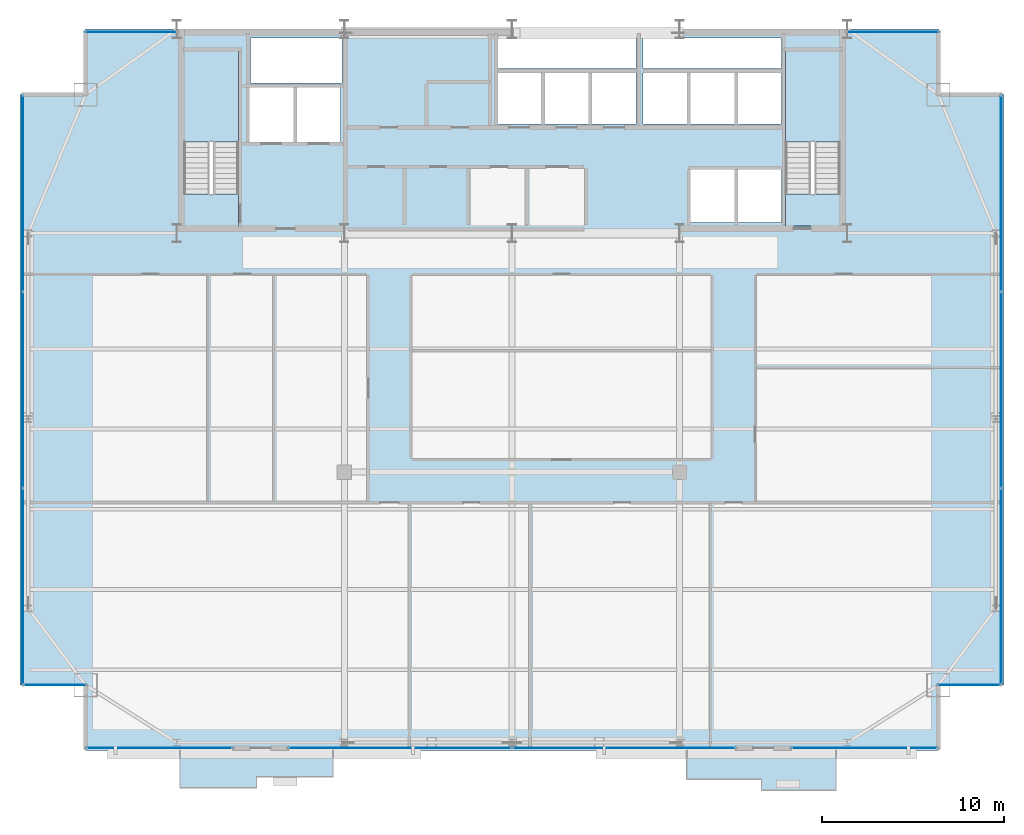
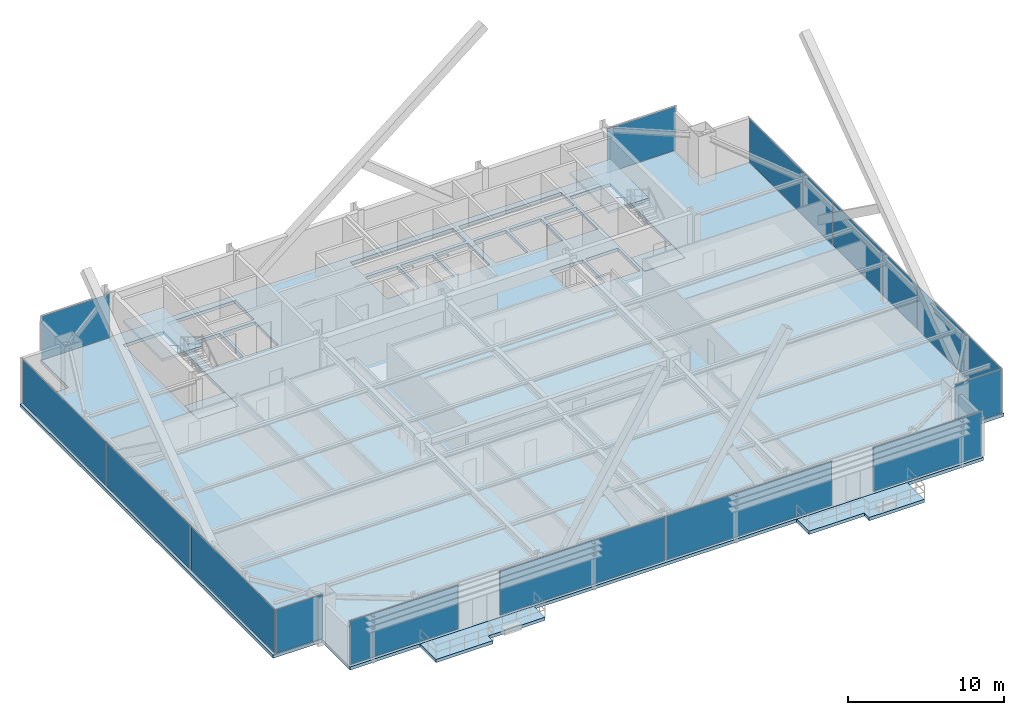
# One storey, part 27 of 34: 14 plates, 7 slabs, 11 elements without a shape of their own.
"""IFC4 building model written with IfcOpenShell, lengths in metres."""

import ifcopenshell
import ifcopenshell.guid

model = None  # the IFC model being written
_history = None  # IfcOwnerHistory: only IFC2X3 demands one
_inside = {}  # id of a spatial element -> (the spatial element, [elements in it])
_under = {}  # id of a project, library or spatial element -> (it, [spatial elements below it])
_declared = {}  # id of a project -> (the project, [libraries it declares])
_typed = {}  # id of a type object -> (the type object, [elements of that type])
_made_of = {}  # id of a material, layer set ... -> (it, [elements and type objects made of it])


def new_model(schema):
    """Start an empty IFC model of exactly this schema.

    Asked for "IFC4X3", IfcOpenShell would pick the latest addendum, in which some entities
    have other attributes; the version numbers below select the first issue.
    IFC2X3 requires an IfcOwnerHistory on every rooted entity: one is made here for all.
    """
    global model, _history
    if schema == "IFC4X3":
        model = ifcopenshell.file(schema_version=(4, 3, 0, 0))
    else:
        model = ifcopenshell.file(schema=schema)
    _inside.clear()
    _under.clear()
    _declared.clear()
    _typed.clear()
    _made_of.clear()
    _history = None
    if model.schema == "IFC2X3":
        org = make("IfcOrganization", Name="unknown")
        user = make(
            "IfcPersonAndOrganization",
            ThePerson=make("IfcPerson", FamilyName="unknown"),
            TheOrganization=org,
        )
        app = make(
            "IfcApplication",
            ApplicationDeveloper=org,
            Version="unknown",
            ApplicationFullName="unknown",
            ApplicationIdentifier="unknown",
        )
        _history = make(
            "IfcOwnerHistory",
            OwningUser=user,
            OwningApplication=app,
            ChangeAction="ADDED",
            CreationDate=0,
        )
    return model


def make(cls, **values):
    """One entity of the class cls with the attributes given. An attribute that is None is left unset."""
    return model.create_entity(
        cls, **{name: value for name, value in values.items() if value is not None}
    )


def rooted(cls, **values):
    """An entity with a GlobalId (a new one), such as an element, a storey or a relation."""
    return make(cls, GlobalId=ifcopenshell.guid.new(), OwnerHistory=_history, **values)


def si_unit(unit_type, name, prefix=None):
    """IfcSIUnit, for example si_unit("LENGTHUNIT", "METRE", prefix="MILLI")."""
    return make("IfcSIUnit", UnitType=unit_type, Prefix=prefix, Name=name)


def assignment(units):
    """IfcUnitAssignment: the units of a project."""
    return None if units is None else make("IfcUnitAssignment", Units=units)


def point(xyz):
    """IfcCartesianPoint."""
    return None if xyz is None else make("IfcCartesianPoint", Coordinates=xyz)


def direction(xyz):
    """IfcDirection."""
    return None if xyz is None else make("IfcDirection", DirectionRatios=xyz)


def frame(location, z_axis=None, x_axis=None):
    """IfcAxis2Placement3D, a coordinate frame: its origin and axes. An axis left out is left unset."""
    return make(
        "IfcAxis2Placement3D",
        Location=point(location),
        Axis=direction(z_axis),
        RefDirection=direction(x_axis),
    )


def frame_2d(location, x_axis=None):
    """IfcAxis2Placement2D, a coordinate frame in the plane: its origin and x axis."""
    return make(
        "IfcAxis2Placement2D", Location=point(location), RefDirection=direction(x_axis)
    )


def origin():
    """The frame at (0, 0, 0) with its axes left unset."""
    return frame((0.0, 0.0, 0.0))


def origin_2d():
    """The frame at (0, 0) in the plane with its x axis left unset."""
    return frame_2d((0.0, 0.0))


def place(relative_to, where):
    """IfcLocalPlacement: puts the frame where relative to a parent placement (None: the world)."""
    return make(
        "IfcLocalPlacement", PlacementRelTo=relative_to, RelativePlacement=where
    )


def context(
    kind, dimensions, precision=None, world=None, true_north=None, identifier=None
):
    """IfcGeometricRepresentationContext, for example the 3D "Model" context."""
    return make(
        "IfcGeometricRepresentationContext",
        ContextIdentifier=identifier,
        ContextType=kind,
        CoordinateSpaceDimension=dimensions,
        Precision=precision,
        WorldCoordinateSystem=world,
        TrueNorth=true_north,
    )


def subcontext(parent, identifier, kind, view, scale=None):
    """IfcGeometricRepresentationSubContext, for example "Body" below "Model"."""
    return make(
        "IfcGeometricRepresentationSubContext",
        ContextIdentifier=identifier,
        ContextType=kind,
        ParentContext=parent,
        TargetScale=scale,
        TargetView=view,
    )


def project(units=None, contexts=None):
    """IfcProject with its units and contexts."""
    return rooted(
        "IfcProject",
        Name="project",
        RepresentationContexts=contexts,
        UnitsInContext=assignment(units),
    )


def spatial(cls, under=None, at=None, **own):
    """A site, building, storey or space (cls), placed at a placement, below another one or the project."""
    s = rooted(cls, ObjectPlacement=at, **own)
    if under is not None:
        _under.setdefault(under.id(), (under, []))[1].append(s)
    return s


def polyline(points):
    """IfcPolyline through the points."""
    return make("IfcPolyline", Points=[point(p) for p in points])


def profile(cls, at=None, kind="AREA", **sizes):
    """A parametric profile (cls). Its sizes go by their IFC names, for example OverallWidth=200.0."""
    return make(cls, ProfileType=kind, Position=at, **sizes)


def rectangle(**sizes):
    """IfcRectangleProfileDef."""
    return profile("IfcRectangleProfileDef", **sizes)


def outline(outer, holes=None, kind="AREA"):
    """IfcArbitraryClosedProfileDef: a profile drawn as a closed curve; with holes, ...WithVoids."""
    if holes is None:
        return make("IfcArbitraryClosedProfileDef", ProfileType=kind, OuterCurve=outer)
    return make(
        "IfcArbitraryProfileDefWithVoids",
        ProfileType=kind,
        OuterCurve=outer,
        InnerCurves=holes,
    )


def extrude(swept, where, along, depth):
    """IfcExtrudedAreaSolid: the profile swept, set in the frame where, extruded along a direction by depth."""
    return make(
        "IfcExtrudedAreaSolid",
        SweptArea=swept,
        Position=where,
        ExtrudedDirection=direction(along),
        Depth=depth,
    )


def shape(context_of_items, identifier, shape_type, items):
    """IfcShapeRepresentation: the items that make up one representation, for example the "Body"."""
    return make(
        "IfcShapeRepresentation",
        ContextOfItems=context_of_items,
        RepresentationIdentifier=identifier,
        RepresentationType=shape_type,
        Items=items,
    )


def source(mapping_origin, context_of_items, identifier, shape_type, items):
    """IfcRepresentationMap: a shape defined once, which mapped items show again and again."""
    return make(
        "IfcRepresentationMap",
        MappingOrigin=mapping_origin,
        MappedRepresentation=shape(context_of_items, identifier, shape_type, items),
    )


def transform(
    local_origin,
    x_axis=None,
    y_axis=None,
    z_axis=None,
    scale=None,
    scale2=None,
    scale3=None,
    uniform=True,
):
    """IfcCartesianTransformationOperator3D, or its non-uniform kind. x_axis, y_axis, z_axis: its Axis1, 2, 3."""
    if uniform:
        return make(
            "IfcCartesianTransformationOperator3D",
            Axis1=direction(x_axis),
            Axis2=direction(y_axis),
            LocalOrigin=point(local_origin),
            Scale=scale,
            Axis3=direction(z_axis),
        )
    return make(
        "IfcCartesianTransformationOperator3DnonUniform",
        Axis1=direction(x_axis),
        Axis2=direction(y_axis),
        LocalOrigin=point(local_origin),
        Scale=scale,
        Axis3=direction(z_axis),
        Scale2=scale2,
        Scale3=scale3,
    )


def mapped(mapping_source, mapping_target):
    """IfcMappedItem: shows the shape of a source again, moved by a transform."""
    return make(
        "IfcMappedItem", MappingSource=mapping_source, MappingTarget=mapping_target
    )


def material(Name=None, Category=None):
    """IfcMaterial."""
    return make("IfcMaterial", Name=Name, Category=Category)


def layer(
    of_material, thickness, ventilated=None, Name=None, Category=None, Priority=None
):
    """IfcMaterialLayer: one layer of a wall or slab, of a material (None: an air gap)."""
    return make(
        "IfcMaterialLayer",
        Material=of_material,
        LayerThickness=thickness,
        IsVentilated=ventilated,
        Name=Name,
        Category=Category,
        Priority=Priority,
    )


def layer_set(layers, Name=None):
    """IfcMaterialLayerSet."""
    return make("IfcMaterialLayerSet", MaterialLayers=layers, LayerSetName=Name)


def made_of(thing, what):
    """Note that an element or type object is made of a material, layer set ...; save() writes the relation."""
    if what is not None:
        _made_of.setdefault(what.id(), (what, []))[1].append(thing)
    return thing


def type_object(cls, material=None, **own):
    """A type object (cls), such as IfcWallType, which elements share."""
    return made_of(rooted(cls, **own), material)


def type_shapes(of_type, sources):
    """Give a type object the sources (RepresentationMaps) that its elements show as mapped items."""
    of_type.RepresentationMaps = sources


def element(
    cls,
    number,
    at=None,
    inside=None,
    cuts=None,
    type_object=None,
    material=None,
    context=None,
    identifier="Body",
    shape_type=None,
    held_by="IfcProductDefinitionShape",
    body=None,
    shapes=None,
    **own,
):
    """One element of the class cls, such as IfcWall. Its Tag is "e" and its number.

    at: its placement. inside: the storey or other place that contains it. cuts: it is an
    opening in that element (IfcRelVoidsElement). A single representation is given by context,
    identifier, shape_type and body (its items); several are given by shapes. held_by: the class
    of the entity that holds the representations. save() writes the other relations.
    """
    e = rooted(cls, Tag="e%d" % number, ObjectPlacement=at, **own)
    if body is not None:
        shapes = [shape(context, identifier, shape_type, body)]
    if shapes is not None:
        e.Representation = make(held_by, Representations=shapes)
    if inside is not None:
        _inside.setdefault(inside.id(), (inside, []))[1].append(e)
    if cuts is not None:
        rooted(
            "IfcRelVoidsElement", RelatingBuildingElement=cuts, RelatedOpeningElement=e
        )
    if type_object is not None:
        _typed.setdefault(type_object.id(), (type_object, []))[1].append(e)
    return made_of(e, material)


def aggregate(whole, parts):
    """IfcRelAggregates: a whole, such as a stair, and the parts it consists of."""
    return rooted("IfcRelAggregates", RelatingObject=whole, RelatedObjects=parts)


def save(model, path):
    """Write the relations noted so far, then the file.

    IfcRelAggregates (storeys below a building ...), IfcRelContainedInSpatialStructure (elements
    in a storey), IfcRelDefinesByType, IfcRelAssociatesMaterial and IfcRelDeclares: one each for
    every whole, place, type object, material and project.
    """
    for whole, parts in _under.values():
        aggregate(whole, parts)
    for where, things in _inside.values():
        rooted(
            "IfcRelContainedInSpatialStructure",
            RelatedElements=things,
            RelatingStructure=where,
        )
    for kind, things in _typed.values():
        rooted("IfcRelDefinesByType", RelatedObjects=things, RelatingType=kind)
    for what, things in _made_of.values():
        rooted("IfcRelAssociatesMaterial", RelatedObjects=things, RelatingMaterial=what)
    for by, libraries in _declared.values():
        rooted("IfcRelDeclares", RelatingContext=by, RelatedDefinitions=libraries)
    model.write(path)


model = new_model("IFC4")

# Units and contexts
model_context = context("Model", 3, precision=1e-05, world=origin(), true_north=direction((0.0, 1.0)))
body_context = subcontext(model_context, "Body", "Model", "MODEL_VIEW")
ifc_project = project(units=[si_unit("LENGTHUNIT", "METRE"), si_unit("AREAUNIT", "SQUARE_METRE"), si_unit("VOLUMEUNIT", "CUBIC_METRE"), si_unit("PLANEANGLEUNIT", "RADIAN"), si_unit("MASSUNIT", "GRAM", prefix="KILO")], contexts=[model_context])

# Site, building, storey
site_placement = place(None, origin())
site = spatial("IfcSite", under=ifc_project, at=site_placement, CompositionType="ELEMENT")
building_placement = place(site_placement, origin())
building = spatial("IfcBuilding", under=site, at=building_placement, Name="Varnel Quay Broadcast Tower", CompositionType="ELEMENT")
storey_placement = place(building_placement, frame((0.0, 0.0, 176.199951171875)))
storey = spatial("IfcBuildingStorey", under=building, at=storey_placement, Name="L43", CompositionType="ELEMENT", Elevation=176.199951171875)

# Slabs
ifc_material_1 = material(Name="Concrete CSA A23.3 C40/50", Category="concrete")
ifc_layer_1 = layer(ifc_material_1, 0.25, Name="Concrete CSA A23.3 C40/50")
ifc_layer_set_1 = layer_set([ifc_layer_1], Name="Concrete CSA A23.3 C40/50")
slab_type_1 = type_object("IfcSlabType", Name="Slab_ExtTerrace250", PredefinedType="FLOOR", material=ifc_layer_set_1)
slab_1_placement = place(storey_placement, frame((0.0, 0.0, -0.25)))
element("IfcSlab", 1, at=slab_1_placement, inside=storey, type_object=slab_type_1, Name="L43 Planted Lobe Terrace Slab 1", PredefinedType="FLOOR", context=body_context, shape_type="SweptSolid", body=[
    extrude(outline(polyline([(15.780029296875, 5.173095703125), (19.97998046875, 5.173095703125), (19.97998046875, 5.77294921875), (24.179931640625, 5.77294921875), (24.179931640625, 7.199951171875), (15.780029296875, 7.199951171875), (15.780029296875, 5.173095703125)])), origin(), (0.0, 0.0, 1.0), 0.25),
])
slab_2_placement = place(storey_placement, frame((0.0, 0.0, -0.25)))
element("IfcSlab", 2, at=slab_2_placement, inside=storey, type_object=slab_type_1, Name="L43 Planted Lobe Terrace Slab 2", PredefinedType="FLOOR", context=body_context, shape_type="SweptSolid", body=[
    extrude(outline(polyline([(43.60009765625, 5.626953125), (47.68994140625, 5.626953125), (47.68994140625, 5.027099609375), (51.780029296875, 5.027099609375), (51.780029296875, 7.199951171875), (43.60009765625, 7.199951171875), (43.60009765625, 5.626953125)])), origin(), (0.0, 0.0, 1.0), 0.25),
])
ifc_material_2 = material(Name="Concrete CSA A23.3 C50/60", Category="concrete")
ifc_layer_2 = layer(ifc_material_2, 0.25, Name="Concrete CSA A23.3 C50/60")
ifc_layer_set_2 = layer_set([ifc_layer_2], Name="Concrete CSA A23.3 C50/60")
slab_type_2 = type_object("IfcSlabType", Name="Slab_Floor250", PredefinedType="FLOOR", material=ifc_layer_set_2)
slab_3_placement = place(storey_placement, frame((0.0, 0.0, -0.25)))
element("IfcSlab", 3, at=slab_3_placement, inside=storey, type_object=slab_type_2, Name="L43 Structural Slab", PredefinedType="FLOOR", context=body_context, shape_type="SweptSolid", body=[
    extrude(outline(polyline([(10.60009765625, 7.199951171875), (57.39990234375, 7.199951171875), (57.39990234375, 10.800048828125), (61.0, 10.800048828125), (61.0, 43.199951171875), (57.39990234375, 43.199951171875), (57.39990234375, 46.800048828125), (10.60009765625, 46.800048828125), (10.60009765625, 43.199951171875), (7.0, 43.199951171875), (7.0, 10.800048828125), (10.60009765625, 10.800048828125), (10.60009765625, 7.199951171875)]), holes=[polyline([(19.0, 36.0), (16.0, 36.0), (16.0, 45.60009765625), (19.0, 45.60009765625), (19.0, 36.0)]), polyline([(19.60009765625, 43.60009765625), (22.0, 43.60009765625), (22.0, 40.60009765625), (19.60009765625, 40.60009765625), (19.60009765625, 43.60009765625)]), polyline([(22.199951171875, 43.60009765625), (24.60009765625, 43.60009765625), (24.60009765625, 40.60009765625), (22.199951171875, 40.60009765625), (22.199951171875, 43.60009765625)]), polyline([(33.199951171875, 44.39990234375), (35.60009765625, 44.39990234375), (35.60009765625, 41.60009765625), (33.199951171875, 41.60009765625), (33.199951171875, 44.39990234375)]), polyline([(35.800048828125, 44.39990234375), (38.199951171875, 44.39990234375), (38.199951171875, 41.60009765625), (35.800048828125, 41.60009765625), (35.800048828125, 44.39990234375)]), polyline([(38.39990234375, 44.39990234375), (40.800048828125, 44.39990234375), (40.800048828125, 41.60009765625), (38.39990234375, 41.60009765625), (38.39990234375, 44.39990234375)]), polyline([(19.64990234375, 46.300048828125), (24.679931640625, 46.300048828125), (24.679931640625, 43.85009765625), (19.64990234375, 43.85009765625), (19.64990234375, 46.300048828125)]), polyline([(33.199951171875, 46.300048828125), (40.800048828125, 46.300048828125), (40.800048828125, 44.64990234375), (33.199951171875, 44.64990234375), (33.199951171875, 46.300048828125)]), polyline([(43.800048828125, 39.10009765625), (46.199951171875, 39.10009765625), (46.199951171875, 36.199951171875), (43.800048828125, 36.199951171875), (43.800048828125, 39.10009765625)]), polyline([(46.39990234375, 39.10009765625), (48.800048828125, 39.10009765625), (48.800048828125, 36.199951171875), (46.39990234375, 36.199951171875), (46.39990234375, 39.10009765625)]), polyline([(49.0, 36.0), (49.0, 45.60009765625), (52.0, 45.60009765625), (52.0, 36.0), (49.0, 36.0)]), polyline([(41.199951171875, 44.39990234375), (43.60009765625, 44.39990234375), (43.60009765625, 41.60009765625), (41.199951171875, 41.60009765625), (41.199951171875, 44.39990234375)]), polyline([(43.800048828125, 44.39990234375), (46.199951171875, 44.39990234375), (46.199951171875, 41.60009765625), (43.800048828125, 41.60009765625), (43.800048828125, 44.39990234375)]), polyline([(46.39990234375, 44.39990234375), (48.800048828125, 44.39990234375), (48.800048828125, 41.60009765625), (46.39990234375, 41.60009765625), (46.39990234375, 44.39990234375)]), polyline([(41.199951171875, 46.300048828125), (48.800048828125, 46.300048828125), (48.800048828125, 44.64990234375), (41.199951171875, 44.64990234375), (41.199951171875, 46.300048828125)])]), origin(), (0.0, 0.0, 1.0), 0.25),
])
ifc_layer_3 = layer(ifc_material_2, 0.25, Name="Concrete CSA A23.3 C50/60")
ifc_layer_set_3 = layer_set([ifc_layer_3], Name="Concrete CSA A23.3 C50/60")
slab_type_3 = type_object("IfcSlabType", Name="Slab_StairFloorLanding250", PredefinedType="FLOOR", material=ifc_layer_set_3)
slab_4_placement = place(storey_placement, frame((0.0, 0.0, -0.25)))
element("IfcSlab", 4, at=slab_4_placement, inside=storey, type_object=slab_type_3, Name="L43 ST-01 Structural Floor Landing Slab", PredefinedType="FLOOR", context=body_context, shape_type="SweptSolid", body=[
    extrude(outline(polyline([(19.0, 36.0), (19.0, 37.75), (16.0, 37.75), (16.0, 36.0), (19.0, 36.0)])), origin(), (0.0, 0.0, 1.0), 0.25),
])
slab_5_placement = place(storey_placement, frame((0.0, 0.0, -0.25)))
element("IfcSlab", 5, at=slab_5_placement, inside=storey, type_object=slab_type_3, Name="L43 ST-02 Structural Floor Landing Slab", PredefinedType="FLOOR", context=body_context, shape_type="SweptSolid", body=[
    extrude(outline(polyline([(52.0, 36.0), (52.0, 37.75), (49.0, 37.75), (49.0, 36.0), (52.0, 36.0)])), origin(), (0.0, 0.0, 1.0), 0.25),
])

# Stair, slab
ifc_material_3 = material(Name="Precast Structural Concrete C40/50", Category="concrete")
stair_type_1 = type_object("IfcStairType", Name="Stair_ST-01", PredefinedType="HALF_TURN_STAIR", material=ifc_material_3)
stair_1_placement = place(storey_placement, origin())
stair_1 = element("IfcStair", 6, at=stair_1_placement, inside=storey, type_object=stair_type_1, Name="L43 West Core Exit Stair 1", PredefinedType="HALF_TURN_STAIR")
ifc_layer_4 = layer(ifc_material_3, 0.199951171875, Name="Precast Structural Concrete C40/50")
ifc_layer_set_4 = layer_set([ifc_layer_4], Name="Precast Structural Concrete C40/50")
slab_type_4 = type_object("IfcSlabType", Name="Slab_StairLanding200", PredefinedType="LANDING", material=ifc_layer_set_4)
slab_6_placement = place(storey_placement, frame((0.0, 0.0, 1.699951171875)))
slab_6 = element("IfcSlab", 7, at=slab_6_placement, type_object=slab_type_4, Name="ST-01 landing 1", PredefinedType="LANDING", context=body_context, shape_type="SweptSolid", body=[
    extrude(outline(polyline([(19.0, 40.60009765625), (19.0, 45.60009765625), (16.0, 45.60009765625), (16.0, 40.60009765625), (19.0, 40.60009765625)])), origin(), (0.0, 0.0, 1.0), 0.2001953125),
])
aggregate(stair_1, [slab_6])

stair_type_2 = type_object("IfcStairType", Name="Stair_ST-02", PredefinedType="HALF_TURN_STAIR", material=ifc_material_3)
stair_2_placement = place(storey_placement, origin())
stair_2 = element("IfcStair", 8, at=stair_2_placement, inside=storey, type_object=stair_type_2, Name="L43 East Core Exit Stair 2", PredefinedType="HALF_TURN_STAIR")
slab_7_placement = place(storey_placement, frame((0.0, 0.0, 1.699951171875)))
slab_7 = element("IfcSlab", 9, at=slab_7_placement, type_object=slab_type_4, Name="ST-02 landing 1", PredefinedType="LANDING", context=body_context, shape_type="SweptSolid", body=[
    extrude(outline(polyline([(52.0, 40.60009765625), (52.0, 45.60009765625), (49.0, 45.60009765625), (49.0, 40.60009765625), (52.0, 40.60009765625)])), origin(), (0.0, 0.0, 1.0), 0.2001953125),
])
aggregate(stair_2, [slab_7])

# Curtain wall, plate
ifc_material_4 = material(Name="Anodised Bronze Aluminium 6063-T6", Category="aluminium")
ifc_layer_5 = layer(ifc_material_4, 0.18994140625, Name="Anodised Bronze Aluminium 6063-T6")
ifc_layer_set_5 = layer_set([ifc_layer_5], Name="Anodised Bronze Aluminium 6063-T6")
curtain_wall_type_1 = type_object("IfcCurtainWallType", Name="CW_NotchCorner", PredefinedType="NOTDEFINED", material=ifc_layer_set_5)
curtain_wall_1_placement = place(storey_placement, origin())
curtain_wall_1 = element("IfcCurtainWall", 10, at=curtain_wall_1_placement, inside=storey, type_object=curtain_wall_type_1, Name="L43 SW Notch Curtain Wall", PredefinedType="NOTDEFINED")
ifc_material_5 = material(Name="Triple-Glazed Bronze Low-E Architectural Glass", Category="glass")
ifc_layer_6 = layer(ifc_material_5, 0.028076171875, Name="Triple-Glazed Bronze Low-E Architectural Glass")
ifc_layer_set_6 = layer_set([ifc_layer_6], Name="Triple-Glazed Bronze Low-E Architectural Glass")
plate_type_1 = type_object("IfcPlateType", Name="Panel_CWS-04", PredefinedType="CURTAIN_PANEL", material=ifc_layer_set_6)
shared_shape_1 = source(origin(), body_context, "Body", "SweptSolid", [
    extrude(rectangle(XDim=3.409912109375, YDim=0.028076171875, at=origin_2d()), origin(), (0.0, 0.0, 1.0), 3.43994140625),
])
type_shapes(plate_type_1, [shared_shape_1])
plate_1_placement = place(storey_placement, frame((8.9150390625, 10.800048828125, 0.05517578125), z_axis=(0.0, 0.0, 1.0), x_axis=(1.0, 0.0, 0.0)))
plate_1 = element("IfcPlate", 11, at=plate_1_placement, type_object=plate_type_1, Name="CWS-04 panel 1.1", PredefinedType="CURTAIN_PANEL", context=body_context, shape_type="MappedRepresentation", body=[
    mapped(shared_shape_1, transform((0.0, 0.0, 0.0), x_axis=(1.0, 0.0, 0.0), y_axis=(0.0, 1.0, 0.0), z_axis=(0.0, 0.0, 1.0), scale=1.0)),
])
aggregate(curtain_wall_1, [plate_1])

curtain_wall_2_placement = place(storey_placement, origin())
curtain_wall_2 = element("IfcCurtainWall", 12, at=curtain_wall_2_placement, inside=storey, type_object=curtain_wall_type_1, Name="L43 SE Notch Curtain Wall", PredefinedType="NOTDEFINED")
plate_2_placement = place(storey_placement, frame((59.0849609375, 10.800048828125, 0.05517578125), z_axis=(0.0, 0.0, 1.0), x_axis=(1.0, 0.0, 0.0)))
plate_2 = element("IfcPlate", 13, at=plate_2_placement, type_object=plate_type_1, Name="CWS-04 panel 1.1", PredefinedType="CURTAIN_PANEL", context=body_context, shape_type="MappedRepresentation", body=[
    mapped(shared_shape_1, transform((0.0, 0.0, 0.0), x_axis=(1.0, 0.0, 0.0), y_axis=(0.0, 1.0, 0.0), z_axis=(0.0, 0.0, 1.0), scale=1.0)),
])
aggregate(curtain_wall_2, [plate_2])

# Curtain wall, plates
ifc_layer_7 = layer(ifc_material_4, 0.18994140625, Name="Anodised Bronze Aluminium 6063-T6")
ifc_layer_set_7 = layer_set([ifc_layer_7], Name="Anodised Bronze Aluminium 6063-T6")
curtain_wall_type_2 = type_object("IfcCurtainWallType", Name="CW_UpperTower", PredefinedType="NOTDEFINED", material=ifc_layer_set_7)
curtain_wall_3_placement = place(storey_placement, origin())
curtain_wall_3 = element("IfcCurtainWall", 14, at=curtain_wall_3_placement, inside=storey, type_object=curtain_wall_type_2, Name="L43 West Unitised Curtain Wall", PredefinedType="NOTDEFINED")
ifc_material_6 = material(Name="Insulated Bronze Spandrel Glass", Category="glass")
ifc_layer_8 = layer(ifc_material_6, 0.030029296875, Name="Insulated Bronze Spandrel Glass")
ifc_layer_set_8 = layer_set([ifc_layer_8], Name="Insulated Bronze Spandrel Glass")
plate_type_2 = type_object("IfcPlateType", Name="PanelSp_CWS-03", PredefinedType="CURTAIN_PANEL", material=ifc_layer_set_8)
shared_shape_2 = source(origin(), body_context, "Body", "SweptSolid", [
    extrude(rectangle(XDim=10.702392578125, YDim=0.030029296875, at=origin_2d()), origin(), (0.0, 0.0, 1.0), 3.429931640625),
])
plate_3_placement = place(storey_placement, frame((7.14990234375, 16.21630859375, 0.06005859375), z_axis=(0.0, 0.0, 1.0), x_axis=(0.0, 1.0, 0.0)))
plate_3 = element("IfcPlate", 15, at=plate_3_placement, type_object=plate_type_2, Name="CWS-03 panel 1.1", PredefinedType="CURTAIN_PANEL", context=body_context, shape_type="MappedRepresentation", body=[
    mapped(shared_shape_2, transform((0.0, 0.0, 0.0), x_axis=(1.0, 0.0, 0.0), y_axis=(0.0, 1.0, 0.0), z_axis=(0.0, 0.0, 1.0), scale=1.0)),
])
plate_4_placement = place(storey_placement, frame((7.14990234375, 37.78369140625, 0.06005859375), z_axis=(0.0, 0.0, 1.0), x_axis=(0.0, 1.0, 0.0)))
plate_4 = element("IfcPlate", 16, at=plate_4_placement, type_object=plate_type_2, Name="CWS-03 panel 3.1", PredefinedType="CURTAIN_PANEL", context=body_context, shape_type="MappedRepresentation", body=[
    mapped(shared_shape_2, transform((0.0, 0.0, 0.0), x_axis=(1.0, 0.0, 0.0), y_axis=(0.0, 1.0, 0.0), z_axis=(0.0, 0.0, 1.0), scale=1.0)),
])

curtain_wall_4_placement = place(storey_placement, origin())
curtain_wall_4 = element("IfcCurtainWall", 17, at=curtain_wall_4_placement, inside=storey, type_object=curtain_wall_type_2, Name="L43 East Unitised Curtain Wall", PredefinedType="NOTDEFINED")
plate_5_placement = place(storey_placement, frame((60.85009765625, 16.21630859375, 0.06005859375), z_axis=(0.0, 0.0, 1.0), x_axis=(0.0, 1.0, 0.0)))
plate_5 = element("IfcPlate", 18, at=plate_5_placement, type_object=plate_type_2, Name="CWS-03 panel 1.1", PredefinedType="CURTAIN_PANEL", context=body_context, shape_type="MappedRepresentation", body=[
    mapped(shared_shape_2, transform((0.0, 0.0, 0.0), x_axis=(1.0, 0.0, 0.0), y_axis=(0.0, 1.0, 0.0), z_axis=(0.0, 0.0, 1.0), scale=1.0)),
])
plate_6_placement = place(storey_placement, frame((60.85009765625, 37.78369140625, 0.06005859375), z_axis=(0.0, 0.0, 1.0), x_axis=(0.0, 1.0, 0.0)))
plate_6 = element("IfcPlate", 19, at=plate_6_placement, type_object=plate_type_2, Name="CWS-03 panel 3.1", PredefinedType="CURTAIN_PANEL", context=body_context, shape_type="MappedRepresentation", body=[
    mapped(shared_shape_2, transform((0.0, 0.0, 0.0), x_axis=(1.0, 0.0, 0.0), y_axis=(0.0, 1.0, 0.0), z_axis=(0.0, 0.0, 1.0), scale=1.0)),
])

# Plate
shared_shape_3 = source(origin(), body_context, "Body", "SweptSolid", [
    extrude(rectangle(XDim=10.735107421875, YDim=0.030029296875, at=origin_2d()), origin(), (0.0, 0.0, 1.0), 3.429931640625),
])
plate_7_placement = place(storey_placement, frame((7.14990234375, 27.0, 0.06005859375), z_axis=(0.0, 0.0, 1.0), x_axis=(0.0, 1.0, 0.0)))
plate_7 = element("IfcPlate", 20, at=plate_7_placement, type_object=plate_type_2, Name="CWS-03 panel 2.1", PredefinedType="CURTAIN_PANEL", context=body_context, shape_type="MappedRepresentation", body=[
    mapped(shared_shape_3, transform((0.0, 0.0, 0.0), x_axis=(1.0, 0.0, 0.0), y_axis=(0.0, 1.0, 0.0), z_axis=(0.0, 0.0, 1.0), scale=1.0)),
])

aggregate(curtain_wall_3, [plate_3, plate_7, plate_4])

plate_8_placement = place(storey_placement, frame((60.85009765625, 27.0, 0.06005859375), z_axis=(0.0, 0.0, 1.0), x_axis=(0.0, 1.0, 0.0)))
plate_8 = element("IfcPlate", 21, at=plate_8_placement, type_object=plate_type_2, Name="CWS-03 panel 2.1", PredefinedType="CURTAIN_PANEL", context=body_context, shape_type="MappedRepresentation", body=[
    mapped(shared_shape_3, transform((0.0, 0.0, 0.0), x_axis=(1.0, 0.0, 0.0), y_axis=(0.0, 1.0, 0.0), z_axis=(0.0, 0.0, 1.0), scale=1.0)),
])

aggregate(curtain_wall_4, [plate_5, plate_8, plate_6])

# Curtain wall, plate
curtain_wall_5_placement = place(storey_placement, origin())
curtain_wall_5 = element("IfcCurtainWall", 22, at=curtain_wall_5_placement, inside=storey, type_object=curtain_wall_type_2, Name="L43 NW Wing Curtain Wall", PredefinedType="NOTDEFINED")
ifc_layer_9 = layer(ifc_material_5, 0.030029296875, Name="Triple-Glazed Bronze Low-E Architectural Glass")
ifc_layer_set_9 = layer_set([ifc_layer_9], Name="Triple-Glazed Bronze Low-E Architectural Glass")
plate_type_3 = type_object("IfcPlateType", Name="Panel_CWS-03", PredefinedType="CURTAIN_PANEL", material=ifc_layer_set_9)
shared_shape_4 = source(origin(), body_context, "Body", "SweptSolid", [
    extrude(rectangle(XDim=5.050048828125, YDim=0.030029296875, at=origin_2d()), origin(), (0.0, 0.0, 1.0), 3.429931640625),
])
plate_9_placement = place(storey_placement, frame((13.110107421875, 46.64990234375, 0.06005859375), z_axis=(0.0, 0.0, 1.0), x_axis=(1.0, 0.0, 0.0)))
plate_9 = element("IfcPlate", 23, at=plate_9_placement, type_object=plate_type_3, Name="CWS-03 panel 1.1", PredefinedType="CURTAIN_PANEL", context=body_context, shape_type="MappedRepresentation", body=[
    mapped(shared_shape_4, transform((0.0, 0.0, 0.0), x_axis=(1.0, 0.0, 0.0), y_axis=(0.0, 1.0, 0.0), z_axis=(0.0, 0.0, 1.0), scale=1.0)),
])
aggregate(curtain_wall_5, [plate_9])

curtain_wall_6_placement = place(storey_placement, origin())
curtain_wall_6 = element("IfcCurtainWall", 24, at=curtain_wall_6_placement, inside=storey, type_object=curtain_wall_type_2, Name="L43 NE Wing Curtain Wall", PredefinedType="NOTDEFINED")
plate_10_placement = place(storey_placement, frame((54.889892578125, 46.64990234375, 0.06005859375), z_axis=(0.0, 0.0, 1.0), x_axis=(1.0, 0.0, 0.0)))
plate_10 = element("IfcPlate", 25, at=plate_10_placement, type_object=plate_type_3, Name="CWS-03 panel 1.1", PredefinedType="CURTAIN_PANEL", context=body_context, shape_type="MappedRepresentation", body=[
    mapped(shared_shape_4, transform((0.0, 0.0, 0.0), x_axis=(1.0, 0.0, 0.0), y_axis=(0.0, 1.0, 0.0), z_axis=(0.0, 0.0, 1.0), scale=1.0)),
])
aggregate(curtain_wall_6, [plate_10])

curtain_wall_7_placement = place(storey_placement, origin())
curtain_wall_7 = element("IfcCurtainWall", 26, at=curtain_wall_7_placement, inside=storey, type_object=curtain_wall_type_2, Name="L43 South Unitised Curtain Wall 1", PredefinedType="NOTDEFINED")
shared_shape_5 = source(origin(), body_context, "Body", "SweptSolid", [
    extrude(rectangle(XDim=7.989990234375, YDim=0.030029296875, at=origin_2d()), origin(), (0.0, 0.0, 1.0), 3.429931640625),
])
type_shapes(plate_type_3, [shared_shape_4, shared_shape_5])
plate_11_placement = place(storey_placement, frame((14.659912109375, 7.35009765625, 0.06005859375), z_axis=(0.0, 0.0, 1.0), x_axis=(1.0, 0.0, 0.0)))
plate_11 = element("IfcPlate", 27, at=plate_11_placement, type_object=plate_type_3, Name="CWS-03 panel 1.1", PredefinedType="CURTAIN_PANEL", context=body_context, shape_type="MappedRepresentation", body=[
    mapped(shared_shape_5, transform((0.0, 0.0, 0.0), x_axis=(1.0, 0.0, 0.0), y_axis=(0.0, 1.0, 0.0), z_axis=(0.0, 0.0, 1.0), scale=1.0)),
])
aggregate(curtain_wall_7, [plate_11])

curtain_wall_8_placement = place(storey_placement, origin())
curtain_wall_8 = element("IfcCurtainWall", 28, at=curtain_wall_8_placement, inside=storey, type_object=curtain_wall_type_2, Name="L43 South Unitised Curtain Wall 3", PredefinedType="NOTDEFINED")
plate_12_placement = place(storey_placement, frame((53.340087890625, 7.35009765625, 0.06005859375), z_axis=(0.0, 0.0, 1.0), x_axis=(1.0, 0.0, 0.0)))
plate_12 = element("IfcPlate", 29, at=plate_12_placement, type_object=plate_type_3, Name="CWS-03 panel 1.1", PredefinedType="CURTAIN_PANEL", context=body_context, shape_type="MappedRepresentation", body=[
    mapped(shared_shape_5, transform((0.0, 0.0, 0.0), x_axis=(1.0, 0.0, 0.0), y_axis=(0.0, 1.0, 0.0), z_axis=(0.0, 0.0, 1.0), scale=1.0)),
])
aggregate(curtain_wall_8, [plate_12])

# Curtain wall, plates
curtain_wall_9_placement = place(storey_placement, origin())
curtain_wall_9 = element("IfcCurtainWall", 30, at=curtain_wall_9_placement, inside=storey, type_object=curtain_wall_type_2, Name="L43 South Unitised Curtain Wall 2", PredefinedType="NOTDEFINED")
shared_shape_6 = source(origin(), body_context, "Body", "SweptSolid", [
    extrude(rectangle(XDim=12.222412109375, YDim=0.030029296875, at=origin_2d()), origin(), (0.0, 0.0, 1.0), 3.429931640625),
])
type_shapes(plate_type_2, [shared_shape_2, shared_shape_3, shared_shape_6])
plate_13_placement = place(storey_placement, frame((27.856201171875, 7.35009765625, 0.06005859375), z_axis=(0.0, 0.0, 1.0), x_axis=(1.0, 0.0, 0.0)))
plate_13 = element("IfcPlate", 31, at=plate_13_placement, type_object=plate_type_2, Name="CWS-03 panel 1.1", PredefinedType="CURTAIN_PANEL", context=body_context, shape_type="MappedRepresentation", body=[
    mapped(shared_shape_6, transform((0.0, 0.0, 0.0), x_axis=(1.0, 0.0, 0.0), y_axis=(0.0, 1.0, 0.0), z_axis=(0.0, 0.0, 1.0), scale=1.0)),
])
plate_14_placement = place(storey_placement, frame((40.143798828125, 7.35009765625, 0.06005859375), z_axis=(0.0, 0.0, 1.0), x_axis=(1.0, 0.0, 0.0)))
plate_14 = element("IfcPlate", 32, at=plate_14_placement, type_object=plate_type_2, Name="CWS-03 panel 2.1", PredefinedType="CURTAIN_PANEL", context=body_context, shape_type="MappedRepresentation", body=[
    mapped(shared_shape_6, transform((0.0, 0.0, 0.0), x_axis=(1.0, 0.0, 0.0), y_axis=(0.0, 1.0, 0.0), z_axis=(0.0, 0.0, 1.0), scale=1.0)),
])
aggregate(curtain_wall_9, [plate_13, plate_14])

save(model, "model.ifc")
